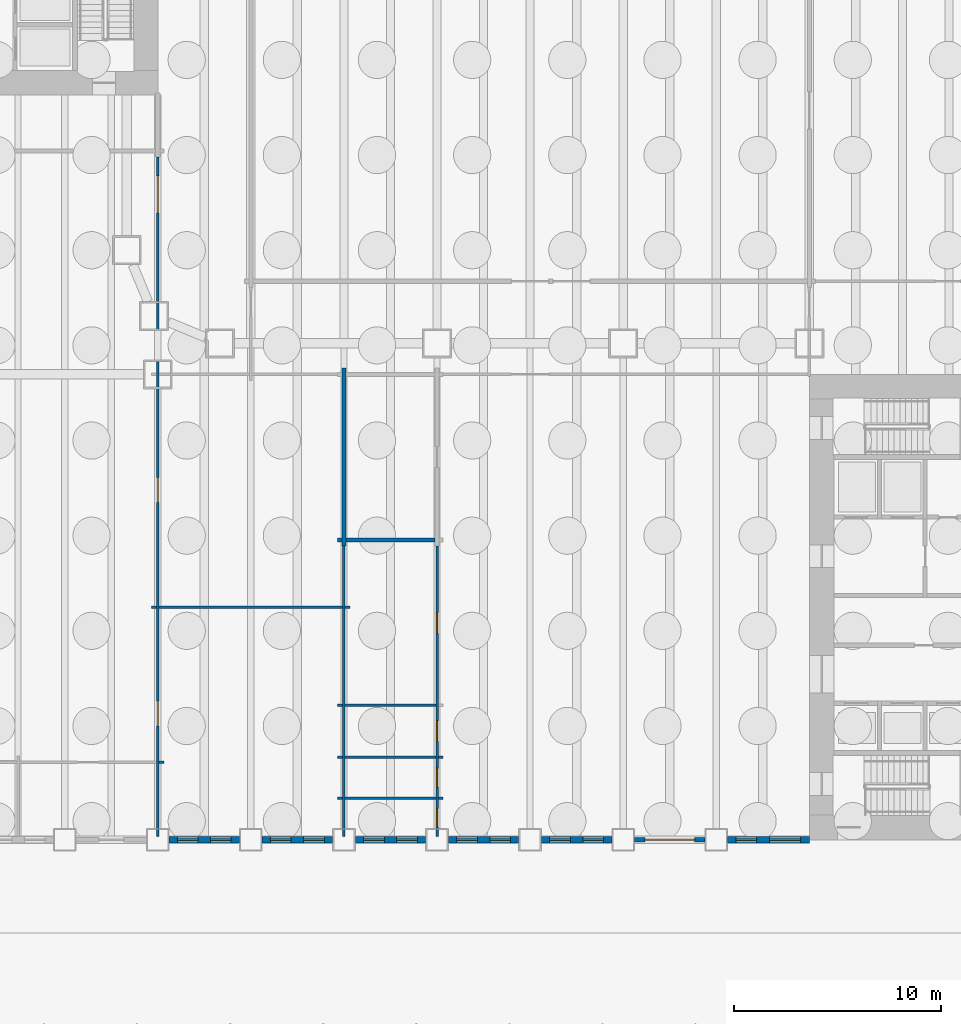
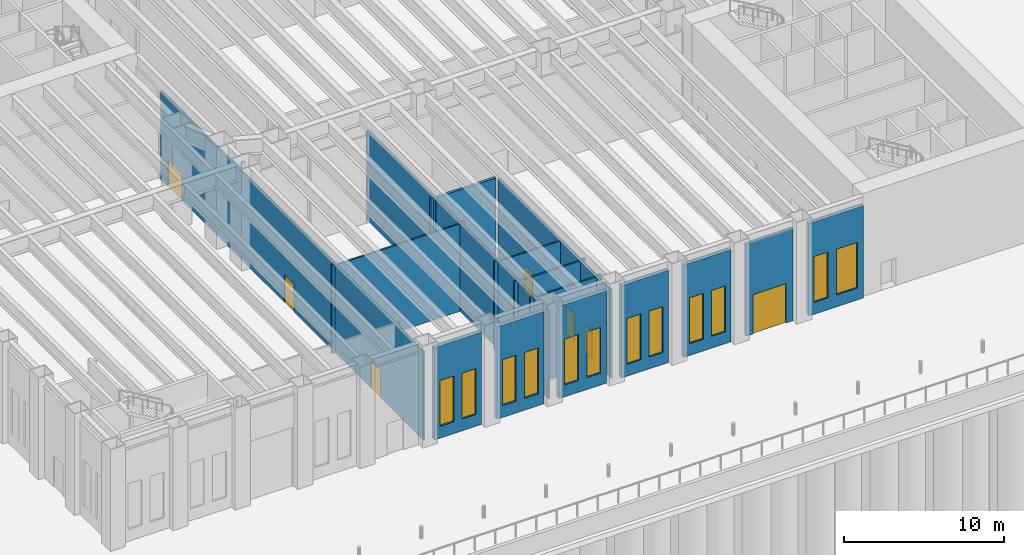
# One storey, part 8 of 26: 25 walls, 12 windows, 8 doors, 20 openings.
"""IFC4 building model written with IfcOpenShell, lengths in metres."""

import ifcopenshell
import ifcopenshell.guid

model = None  # the IFC model being written
_history = None  # IfcOwnerHistory: only IFC2X3 demands one
_inside = {}  # id of a spatial element -> (the spatial element, [elements in it])
_under = {}  # id of a project, library or spatial element -> (it, [spatial elements below it])
_declared = {}  # id of a project -> (the project, [libraries it declares])
_typed = {}  # id of a type object -> (the type object, [elements of that type])
_made_of = {}  # id of a material, layer set ... -> (it, [elements and type objects made of it])


def new_model(schema):
    """Start an empty IFC model of exactly this schema.

    Asked for "IFC4X3", IfcOpenShell would pick the latest addendum, in which some entities
    have other attributes; the version numbers below select the first issue.
    IFC2X3 requires an IfcOwnerHistory on every rooted entity: one is made here for all.
    """
    global model, _history
    if schema == "IFC4X3":
        model = ifcopenshell.file(schema_version=(4, 3, 0, 0))
    else:
        model = ifcopenshell.file(schema=schema)
    _inside.clear()
    _under.clear()
    _declared.clear()
    _typed.clear()
    _made_of.clear()
    _history = None
    if model.schema == "IFC2X3":
        org = make("IfcOrganization", Name="unknown")
        user = make(
            "IfcPersonAndOrganization",
            ThePerson=make("IfcPerson", FamilyName="unknown"),
            TheOrganization=org,
        )
        app = make(
            "IfcApplication",
            ApplicationDeveloper=org,
            Version="unknown",
            ApplicationFullName="unknown",
            ApplicationIdentifier="unknown",
        )
        _history = make(
            "IfcOwnerHistory",
            OwningUser=user,
            OwningApplication=app,
            ChangeAction="ADDED",
            CreationDate=0,
        )
    return model


def make(cls, **values):
    """One entity of the class cls with the attributes given. An attribute that is None is left unset."""
    return model.create_entity(
        cls, **{name: value for name, value in values.items() if value is not None}
    )


def rooted(cls, **values):
    """An entity with a GlobalId (a new one), such as an element, a storey or a relation."""
    return make(cls, GlobalId=ifcopenshell.guid.new(), OwnerHistory=_history, **values)


def si_unit(unit_type, name, prefix=None):
    """IfcSIUnit, for example si_unit("LENGTHUNIT", "METRE", prefix="MILLI")."""
    return make("IfcSIUnit", UnitType=unit_type, Prefix=prefix, Name=name)


def assignment(units):
    """IfcUnitAssignment: the units of a project."""
    return None if units is None else make("IfcUnitAssignment", Units=units)


def point(xyz):
    """IfcCartesianPoint."""
    return None if xyz is None else make("IfcCartesianPoint", Coordinates=xyz)


def direction(xyz):
    """IfcDirection."""
    return None if xyz is None else make("IfcDirection", DirectionRatios=xyz)


def frame(location, z_axis=None, x_axis=None):
    """IfcAxis2Placement3D, a coordinate frame: its origin and axes. An axis left out is left unset."""
    return make(
        "IfcAxis2Placement3D",
        Location=point(location),
        Axis=direction(z_axis),
        RefDirection=direction(x_axis),
    )


def frame_2d(location, x_axis=None):
    """IfcAxis2Placement2D, a coordinate frame in the plane: its origin and x axis."""
    return make(
        "IfcAxis2Placement2D", Location=point(location), RefDirection=direction(x_axis)
    )


def origin():
    """The frame at (0, 0, 0) with its axes left unset."""
    return frame((0.0, 0.0, 0.0))


def place(relative_to, where):
    """IfcLocalPlacement: puts the frame where relative to a parent placement (None: the world)."""
    return make(
        "IfcLocalPlacement", PlacementRelTo=relative_to, RelativePlacement=where
    )


def context(
    kind, dimensions, precision=None, world=None, true_north=None, identifier=None
):
    """IfcGeometricRepresentationContext, for example the 3D "Model" context."""
    return make(
        "IfcGeometricRepresentationContext",
        ContextIdentifier=identifier,
        ContextType=kind,
        CoordinateSpaceDimension=dimensions,
        Precision=precision,
        WorldCoordinateSystem=world,
        TrueNorth=true_north,
    )


def subcontext(parent, identifier, kind, view, scale=None):
    """IfcGeometricRepresentationSubContext, for example "Body" below "Model"."""
    return make(
        "IfcGeometricRepresentationSubContext",
        ContextIdentifier=identifier,
        ContextType=kind,
        ParentContext=parent,
        TargetScale=scale,
        TargetView=view,
    )


def project(units=None, contexts=None):
    """IfcProject with its units and contexts."""
    return rooted(
        "IfcProject",
        Name="project",
        RepresentationContexts=contexts,
        UnitsInContext=assignment(units),
    )


def spatial(cls, under=None, at=None, **own):
    """A site, building, storey or space (cls), placed at a placement, below another one or the project."""
    s = rooted(cls, ObjectPlacement=at, **own)
    if under is not None:
        _under.setdefault(under.id(), (under, []))[1].append(s)
    return s


def profile(cls, at=None, kind="AREA", **sizes):
    """A parametric profile (cls). Its sizes go by their IFC names, for example OverallWidth=200.0."""
    return make(cls, ProfileType=kind, Position=at, **sizes)


def rectangle(**sizes):
    """IfcRectangleProfileDef."""
    return profile("IfcRectangleProfileDef", **sizes)


def extrude(swept, where, along, depth):
    """IfcExtrudedAreaSolid: the profile swept, set in the frame where, extruded along a direction by depth."""
    return make(
        "IfcExtrudedAreaSolid",
        SweptArea=swept,
        Position=where,
        ExtrudedDirection=direction(along),
        Depth=depth,
    )


def shape(context_of_items, identifier, shape_type, items):
    """IfcShapeRepresentation: the items that make up one representation, for example the "Body"."""
    return make(
        "IfcShapeRepresentation",
        ContextOfItems=context_of_items,
        RepresentationIdentifier=identifier,
        RepresentationType=shape_type,
        Items=items,
    )


def material(Name=None, Category=None):
    """IfcMaterial."""
    return make("IfcMaterial", Name=Name, Category=Category)


def layer(
    of_material, thickness, ventilated=None, Name=None, Category=None, Priority=None
):
    """IfcMaterialLayer: one layer of a wall or slab, of a material (None: an air gap)."""
    return make(
        "IfcMaterialLayer",
        Material=of_material,
        LayerThickness=thickness,
        IsVentilated=ventilated,
        Name=Name,
        Category=Category,
        Priority=Priority,
    )


def layer_set(layers, Name=None):
    """IfcMaterialLayerSet."""
    return make("IfcMaterialLayerSet", MaterialLayers=layers, LayerSetName=Name)


def made_of(thing, what):
    """Note that an element or type object is made of a material, layer set ...; save() writes the relation."""
    if what is not None:
        _made_of.setdefault(what.id(), (what, []))[1].append(thing)
    return thing


def type_object(cls, material=None, **own):
    """A type object (cls), such as IfcWallType, which elements share."""
    return made_of(rooted(cls, **own), material)


def element(
    cls,
    number,
    at=None,
    inside=None,
    cuts=None,
    type_object=None,
    material=None,
    context=None,
    identifier="Body",
    shape_type=None,
    held_by="IfcProductDefinitionShape",
    body=None,
    shapes=None,
    **own,
):
    """One element of the class cls, such as IfcWall. Its Tag is "e" and its number.

    at: its placement. inside: the storey or other place that contains it. cuts: it is an
    opening in that element (IfcRelVoidsElement). A single representation is given by context,
    identifier, shape_type and body (its items); several are given by shapes. held_by: the class
    of the entity that holds the representations. save() writes the other relations.
    """
    e = rooted(cls, Tag="e%d" % number, ObjectPlacement=at, **own)
    if body is not None:
        shapes = [shape(context, identifier, shape_type, body)]
    if shapes is not None:
        e.Representation = make(held_by, Representations=shapes)
    if inside is not None:
        _inside.setdefault(inside.id(), (inside, []))[1].append(e)
    if cuts is not None:
        rooted(
            "IfcRelVoidsElement", RelatingBuildingElement=cuts, RelatedOpeningElement=e
        )
    if type_object is not None:
        _typed.setdefault(type_object.id(), (type_object, []))[1].append(e)
    return made_of(e, material)


def fill(opening, filler):
    """IfcRelFillsElement: the door or window that sits in an opening."""
    return rooted(
        "IfcRelFillsElement",
        RelatingOpeningElement=opening,
        RelatedBuildingElement=filler,
    )


def aggregate(whole, parts):
    """IfcRelAggregates: a whole, such as a stair, and the parts it consists of."""
    return rooted("IfcRelAggregates", RelatingObject=whole, RelatedObjects=parts)


def save(model, path):
    """Write the relations noted so far, then the file.

    IfcRelAggregates (storeys below a building ...), IfcRelContainedInSpatialStructure (elements
    in a storey), IfcRelDefinesByType, IfcRelAssociatesMaterial and IfcRelDeclares: one each for
    every whole, place, type object, material and project.
    """
    for whole, parts in _under.values():
        aggregate(whole, parts)
    for where, things in _inside.values():
        rooted(
            "IfcRelContainedInSpatialStructure",
            RelatedElements=things,
            RelatingStructure=where,
        )
    for kind, things in _typed.values():
        rooted("IfcRelDefinesByType", RelatedObjects=things, RelatingType=kind)
    for what, things in _made_of.values():
        rooted("IfcRelAssociatesMaterial", RelatedObjects=things, RelatingMaterial=what)
    for by, libraries in _declared.values():
        rooted("IfcRelDeclares", RelatingContext=by, RelatedDefinitions=libraries)
    model.write(path)


model = new_model("IFC4")

# Units and contexts
model_context = context("Model", 3, precision=1e-05, world=origin(), true_north=direction((0.0, 1.0)))
body_context = subcontext(model_context, "Body", "Model", "MODEL_VIEW")
ifc_project = project(units=[si_unit("LENGTHUNIT", "METRE"), si_unit("AREAUNIT", "SQUARE_METRE"), si_unit("VOLUMEUNIT", "CUBIC_METRE"), si_unit("PLANEANGLEUNIT", "RADIAN"), si_unit("MASSUNIT", "GRAM", prefix="KILO")], contexts=[model_context])

# Site, building, storey
site_placement = place(None, origin())
site = spatial("IfcSite", under=ifc_project, at=site_placement, CompositionType="ELEMENT")
building_placement = place(site_placement, origin())
building = spatial("IfcBuilding", under=site, at=building_placement, Name="Sennacour Bend Tower", CompositionType="ELEMENT")
storey_placement = place(building_placement, origin())
storey = spatial("IfcBuildingStorey", under=building, at=storey_placement, Name="L00", CompositionType="ELEMENT", Elevation=0.0)

# Wall, opening, door
ifc_material_1 = material(Name="Bronze anodised aluminium panel", Category="aluminium")
ifc_layer_1 = layer(ifc_material_1, 0.030029296875, Name="Bronze anodised aluminium panel", Category="aluminium")
ifc_material_2 = material(Name="Precast concrete C40/50", Category="concrete")
ifc_layer_2 = layer(ifc_material_2, 0.169921875, Name="Precast concrete C40/50", Category="concrete")
ifc_layer_set_1 = layer_set([ifc_layer_1, ifc_layer_2], Name="Precast concrete C40/50 with bronze aluminium panel")
wall_type_1 = type_object("IfcWallType", Name="ALUMINIUM-CLAD INFILL WALL 200", PredefinedType="STANDARD", material=ifc_layer_set_1)
wall_1_placement = place(storey_placement, frame((48.949951171875, 0.0, 0.0), z_axis=(0.0, 0.0, 1.0), x_axis=(-1.0, 0.0, 0.0)))
wall_1 = element("IfcWall", 1, at=wall_1_placement, inside=storey, type_object=wall_type_1, Name="Infill wall L00 03.10", PredefinedType="STANDARD", context=body_context, shape_type="SweptSolid", body=[
    extrude(rectangle(XDim=3.39990234375, YDim=0.199951171875, at=frame_2d((1.699951171875, 0.0))), origin(), (0.0, 0.0, 1.0), 7.035888671875),
])
opening_1_placement = place(wall_1_placement, frame((0.5, 0.0, 0.0)))
opening_1 = element("IfcOpeningElement", 2, at=opening_1_placement, cuts=wall_1, Name="Opening ED1", PredefinedType="OPENING", context=body_context, shape_type="SweptSolid", body=[
    extrude(rectangle(XDim=2.39990234375, YDim=3.0, at=frame_2d((1.199951171875, 1.5))), frame((0.0, 0.10986328125, 0.0), z_axis=(0.0, -1.0, 0.0), x_axis=(1.0, 0.0, 0.0)), (0.0, 0.0, 1.0), 0.219970703125),
])
ifc_material_3 = material(Name="Aluminium framed glazed door", Category="aluminium")
door_type_1 = type_object("IfcDoorType", Name="DR-ENTRANCE-2400x3000", OperationType="DOUBLE_DOOR_SINGLE_SWING", PredefinedType="DOOR", material=ifc_material_3)
door_1_placement = place(opening_1_placement, origin())
door_1 = element("IfcDoor", 3, at=door_1_placement, inside=storey, type_object=door_type_1, Name="Exterior door L00 03.10", OperationType="DOUBLE_DOOR_SINGLE_SWING", OverallHeight=3.0, OverallWidth=2.39990234375, PredefinedType="DOOR", context=body_context, shape_type="SweptSolid", body=[
    extrude(rectangle(XDim=2.39990234375, YDim=3.0, at=frame_2d((1.199951171875, 1.5))), frame((0.0, 0.02490234375, 0.0), z_axis=(0.0, -1.0, 0.0), x_axis=(1.0, 0.0, 0.0)), (0.0, 0.0, 1.0), 0.050048828125),
])
fill(opening_1, door_1)

# Walls
ifc_material_4 = material(Name="Plasterboard partition on steel studs", Category="steel")
ifc_layer_3 = layer(ifc_material_4, 0.1201171875, Name="Plasterboard partition on steel studs", Category="steel")
ifc_layer_set_2 = layer_set([ifc_layer_3], Name="Plasterboard partition on steel studs")
wall_type_2 = type_object("IfcWallType", Name="Partition 120", PredefinedType="PARTITIONING", material=ifc_layer_set_2)
wall_2_placement = place(storey_placement, frame((31.5, 0.14990234375, 0.0), z_axis=(0.0, 0.0, 1.0), x_axis=(0.0, 1.0, 0.0)))
element("IfcWall", 4, at=wall_2_placement, inside=storey, type_object=wall_type_2, Name="P-L00-W027a", PredefinedType="PARTITIONING", context=body_context, shape_type="SweptSolid", body=[
    extrude(rectangle(XDim=14.050048828125, YDim=0.1201171875, at=frame_2d((7.02490234375, 0.0))), origin(), (0.0, 0.0, 1.0), 6.7587890625),
])
wall_3_placement = place(storey_placement, frame((31.199951171875, 2.0, 0.0), z_axis=(0.0, 0.0, 1.0), x_axis=(1.0, 0.0, 0.0)))
element("IfcWall", 5, at=wall_3_placement, inside=storey, type_object=wall_type_2, Name="P-L00-W048aa", PredefinedType="PARTITIONING", context=body_context, shape_type="SweptSolid", body=[
    extrude(rectangle(XDim=0.239990234375, YDim=0.1201171875, at=frame_2d((0.1201171875, 0.0))), origin(), (0.0, 0.0, 1.0), 6.7587890625),
])
wall_4_placement = place(storey_placement, frame((31.56005859375, 2.0, 0.0), z_axis=(0.0, 0.0, 1.0), x_axis=(1.0, 0.0, 0.0)))
element("IfcWall", 6, at=wall_4_placement, inside=storey, type_object=wall_type_2, Name="P-L00-W048ab", PredefinedType="PARTITIONING", context=body_context, shape_type="SweptSolid", body=[
    extrude(rectangle(XDim=4.3798828125, YDim=0.1201171875, at=frame_2d((2.18994140625, 0.0))), origin(), (0.0, 0.0, 1.0), 6.66015625),
])
for number, where, z_axis, x_axis, name in (
    (7, (36.06005859375, 2.0, 0.0), (0.0, 0.0, 1.0), (1.0, 0.0, 0.0), "P-L00-W048ac"),
    (8, (22.56005859375, 3.75, 0.0), (0.0, 0.0, 1.0), (1.0, 0.0, 0.0), "P-L00-W051ac"),
    (9, (31.199951171875, 4.0, 0.0), (0.0, 0.0, 1.0), (1.0, 0.0, 0.0), "P-L00-W052aa"),
):
    element("IfcWall", number, at=place(storey_placement, frame(where, z_axis=z_axis, x_axis=x_axis)), inside=storey, type_object=wall_type_2, Name=name, PredefinedType="PARTITIONING", context=body_context, shape_type="SweptSolid", body=[
        extrude(rectangle(XDim=0.239990234375, YDim=0.1201171875, at=frame_2d((0.1201171875, 0.0))), origin(), (0.0, 0.0, 1.0), 6.7587890625),
    ])
wall_5_placement = place(storey_placement, frame((31.56005859375, 4.0, 0.0), z_axis=(0.0, 0.0, 1.0), x_axis=(1.0, 0.0, 0.0)))
element("IfcWall", 10, at=wall_5_placement, inside=storey, type_object=wall_type_2, Name="P-L00-W052ab", PredefinedType="PARTITIONING", context=body_context, shape_type="SweptSolid", body=[
    extrude(rectangle(XDim=4.3798828125, YDim=0.1201171875, at=frame_2d((2.18994140625, 0.0))), origin(), (0.0, 0.0, 1.0), 6.66015625),
])
for number, where, z_axis, x_axis, name in (
    (11, (36.06005859375, 4.0, 0.0), (0.0, 0.0, 1.0), (1.0, 0.0, 0.0), "P-L00-W052ac"),
    (12, (31.199951171875, 6.5, 0.0), (0.0, 0.0, 1.0), (1.0, 0.0, 0.0), "P-L00-W055aa"),
):
    element("IfcWall", number, at=place(storey_placement, frame(where, z_axis=z_axis, x_axis=x_axis)), inside=storey, type_object=wall_type_2, Name=name, PredefinedType="PARTITIONING", context=body_context, shape_type="SweptSolid", body=[
        extrude(rectangle(XDim=0.239990234375, YDim=0.1201171875, at=frame_2d((0.1201171875, 0.0))), origin(), (0.0, 0.0, 1.0), 6.7587890625),
    ])
wall_6_placement = place(storey_placement, frame((31.56005859375, 6.5, 0.0), z_axis=(0.0, 0.0, 1.0), x_axis=(1.0, 0.0, 0.0)))
element("IfcWall", 13, at=wall_6_placement, inside=storey, type_object=wall_type_2, Name="P-L00-W055ab", PredefinedType="PARTITIONING", context=body_context, shape_type="SweptSolid", body=[
    extrude(rectangle(XDim=4.3798828125, YDim=0.1201171875, at=frame_2d((2.18994140625, 0.0))), origin(), (0.0, 0.0, 1.0), 6.66015625),
])
wall_7_placement = place(storey_placement, frame((22.199951171875, 11.25, 0.0), z_axis=(0.0, 0.0, 1.0), x_axis=(1.0, 0.0, 0.0)))
element("IfcWall", 14, at=wall_7_placement, inside=storey, type_object=wall_type_2, Name="P-L00-W059aa", PredefinedType="PARTITIONING", context=body_context, shape_type="SweptSolid", body=[
    extrude(rectangle(XDim=0.239990234375, YDim=0.1201171875, at=frame_2d((0.1201171875, 0.0))), origin(), (0.0, 0.0, 1.0), 6.7587890625),
])
wall_8_placement = place(storey_placement, frame((22.56005859375, 11.25, 0.0), z_axis=(0.0, 0.0, 1.0), x_axis=(1.0, 0.0, 0.0)))
element("IfcWall", 15, at=wall_8_placement, inside=storey, type_object=wall_type_2, Name="P-L00-W059ab", PredefinedType="PARTITIONING", context=body_context, shape_type="SweptSolid", body=[
    extrude(rectangle(XDim=8.8798828125, YDim=0.1201171875, at=frame_2d((4.43994140625, 0.0))), origin(), (0.0, 0.0, 1.0), 6.66015625),
])
wall_9_placement = place(storey_placement, frame((31.56005859375, 11.25, 0.0), z_axis=(0.0, 0.0, 1.0), x_axis=(1.0, 0.0, 0.0)))
element("IfcWall", 16, at=wall_9_placement, inside=storey, type_object=wall_type_2, Name="P-L00-W059ac", PredefinedType="PARTITIONING", context=body_context, shape_type="SweptSolid", body=[
    extrude(rectangle(XDim=0.239990234375, YDim=0.1201171875, at=frame_2d((0.1201171875, 0.0))), origin(), (0.0, 0.0, 1.0), 6.7587890625),
])

# Wall, openings, doors
ifc_layer_4 = layer(ifc_material_4, 0.1201171875, Name="Plasterboard partition on steel studs", Category="steel")
ifc_layer_set_3 = layer_set([ifc_layer_4], Name="Plasterboard partition on steel studs")
wall_type_3 = type_object("IfcWallType", Name="Partition 120 EI 60", PredefinedType="PARTITIONING", material=ifc_layer_set_3)
wall_10_placement = place(storey_placement, frame((22.5, 0.14990234375, 0.0), z_axis=(0.0, 0.0, 1.0), x_axis=(0.0, 1.0, 0.0)))
wall_10 = element("IfcWall", 17, at=wall_10_placement, inside=storey, type_object=wall_type_3, Name="P-L00-W021a", PredefinedType="PARTITIONING", context=body_context, shape_type="SweptSolid", body=[
    extrude(rectangle(XDim=32.85009765625, YDim=0.1201171875, at=frame_2d((16.425048828125, 0.0))), origin(), (0.0, 0.0, 1.0), 6.7587890625),
])
opening_2_placement = place(wall_10_placement, frame((5.35009765625, 0.0, 0.0)))
opening_2 = element("IfcOpeningElement", 18, at=opening_2_placement, cuts=wall_10, Name="Opening OD", PredefinedType="OPENING", context=body_context, shape_type="SweptSolid", body=[
    extrude(rectangle(XDim=1.199951171875, YDim=2.10009765625, at=frame_2d((0.60009765625, 1.050048828125))), frame((0.0, 0.070068359375, 0.0), z_axis=(0.0, -1.0, 0.0), x_axis=(1.0, 0.0, 0.0)), (0.0, 0.0, 1.0), 0.14013671875),
])
opening_3_placement = place(wall_10_placement, frame((16.155029296875, 0.0, 0.0)))
opening_3 = element("IfcOpeningElement", 19, at=opening_3_placement, cuts=wall_10, Name="Opening OD", PredefinedType="OPENING", context=body_context, shape_type="SweptSolid", body=[
    extrude(rectangle(XDim=1.199951171875, YDim=2.10009765625, at=frame_2d((0.60009765625, 1.050048828125))), frame((0.0, 0.070068359375, 0.0), z_axis=(0.0, -1.0, 0.0), x_axis=(1.0, 0.0, 0.0)), (0.0, 0.0, 1.0), 0.14013671875),
])
opening_4_placement = place(wall_10_placement, frame((30.150146484375, 0.0, 0.0)))
opening_4 = element("IfcOpeningElement", 20, at=opening_4_placement, cuts=wall_10, Name="Opening CD", PredefinedType="OPENING", context=body_context, shape_type="SweptSolid", body=[
    extrude(rectangle(XDim=1.800048828125, YDim=2.10009765625, at=frame_2d((0.89990234375, 1.050048828125))), frame((0.0, 0.070068359375, 0.0), z_axis=(0.0, -1.0, 0.0), x_axis=(1.0, 0.0, 0.0)), (0.0, 0.0, 1.0), 0.14013671875),
])
ifc_material_5 = material(Name="Painted steel", Category="steel")
door_type_2 = type_object("IfcDoorType", Name="DR-LOBBY-1800", OperationType="NOTDEFINED", PredefinedType="DOOR", material=ifc_material_5)
door_2_placement = place(opening_4_placement, origin())
door_2 = element("IfcDoor", 21, at=door_2_placement, inside=storey, type_object=door_type_2, Name="Door", OperationType="DOUBLE_DOOR_SINGLE_SWING", OverallHeight=2.10009765625, OverallWidth=1.800048828125, PredefinedType="DOOR", context=body_context, shape_type="SweptSolid", body=[
    extrude(rectangle(XDim=1.800048828125, YDim=2.10009765625, at=frame_2d((0.89990234375, 1.050048828125))), frame((0.0, 0.02490234375, 0.0), z_axis=(0.0, -1.0, 0.0), x_axis=(1.0, 0.0, 0.0)), (0.0, 0.0, 1.0), 0.050048828125),
])
fill(opening_4, door_2)
ifc_material_6 = material(Name="Timber", Category="wood")
door_type_3 = type_object("IfcDoorType", Name="DR-OFFICE-1200", OperationType="NOTDEFINED", PredefinedType="DOOR", material=ifc_material_6)
door_3_placement = place(opening_2_placement, origin())
door_3 = element("IfcDoor", 22, at=door_3_placement, inside=storey, type_object=door_type_3, Name="Door", OperationType="SINGLE_SWING_LEFT", OverallHeight=2.10009765625, OverallWidth=1.199951171875, PredefinedType="DOOR", context=body_context, shape_type="SweptSolid", body=[
    extrude(rectangle(XDim=1.199951171875, YDim=2.10009765625, at=frame_2d((0.60009765625, 1.050048828125))), frame((0.0, 0.02490234375, 0.0), z_axis=(0.0, -1.0, 0.0), x_axis=(1.0, 0.0, 0.0)), (0.0, 0.0, 1.0), 0.050048828125),
])
fill(opening_2, door_3)
door_4_placement = place(opening_3_placement, origin())
door_4 = element("IfcDoor", 23, at=door_4_placement, inside=storey, type_object=door_type_3, Name="Door", OperationType="SINGLE_SWING_RIGHT", OverallHeight=2.10009765625, OverallWidth=1.199951171875, PredefinedType="DOOR", context=body_context, shape_type="SweptSolid", body=[
    extrude(rectangle(XDim=1.199951171875, YDim=2.10009765625, at=frame_2d((0.60009765625, 1.050048828125))), frame((0.0, 0.02490234375, 0.0), z_axis=(0.0, -1.0, 0.0), x_axis=(1.0, 0.0, 0.0)), (0.0, 0.0, 1.0), 0.050048828125),
])
fill(opening_3, door_4)

wall_11_placement = place(storey_placement, frame((36.0, 0.14990234375, 0.0), z_axis=(0.0, 0.0, 1.0), x_axis=(0.0, 1.0, 0.0)))
wall_11 = element("IfcWall", 24, at=wall_11_placement, inside=storey, type_object=wall_type_3, Name="P-L00-W029a", PredefinedType="PARTITIONING", context=body_context, shape_type="SweptSolid", body=[
    extrude(rectangle(XDim=14.050048828125, YDim=0.1201171875, at=frame_2d((7.02490234375, 0.0))), origin(), (0.0, 0.0, 1.0), 6.7587890625),
])
opening_5_placement = place(wall_11_placement, frame((9.830078125, 0.0, 0.0)))
opening_5 = element("IfcOpeningElement", 25, at=opening_5_placement, cuts=wall_11, Name="Opening SV2", PredefinedType="OPENING", context=body_context, shape_type="SweptSolid", body=[
    extrude(rectangle(XDim=1.0, YDim=2.10009765625, at=frame_2d((0.5, 1.050048828125))), frame((0.0, 0.070068359375, 0.0), z_axis=(0.0, -1.0, 0.0), x_axis=(1.0, 0.0, 0.0)), (0.0, 0.0, 1.0), 0.14013671875),
])
opening_6_placement = place(wall_11_placement, frame((0.455078125, 0.0, 0.0)))
opening_6 = element("IfcOpeningElement", 26, at=opening_6_placement, cuts=wall_11, Name="Opening WD", PredefinedType="OPENING", context=body_context, shape_type="SweptSolid", body=[
    extrude(rectangle(XDim=0.89990234375, YDim=2.10009765625, at=frame_2d((0.449951171875, 1.050048828125))), frame((0.0, 0.070068359375, 0.0), z_axis=(0.0, -1.0, 0.0), x_axis=(1.0, 0.0, 0.0)), (0.0, 0.0, 1.0), 0.14013671875),
])
opening_7_placement = place(wall_11_placement, frame((2.400146484375, 0.0, 0.0)))
opening_7 = element("IfcOpeningElement", 27, at=opening_7_placement, cuts=wall_11, Name="Opening WD", PredefinedType="OPENING", context=body_context, shape_type="SweptSolid", body=[
    extrude(rectangle(XDim=0.89990234375, YDim=2.10009765625, at=frame_2d((0.449951171875, 1.050048828125))), frame((0.0, 0.070068359375, 0.0), z_axis=(0.0, -1.0, 0.0), x_axis=(1.0, 0.0, 0.0)), (0.0, 0.0, 1.0), 0.14013671875),
])
opening_8_placement = place(wall_11_placement, frame((4.60009765625, 0.0, 0.0)))
opening_8 = element("IfcOpeningElement", 28, at=opening_8_placement, cuts=wall_11, Name="Opening AD", PredefinedType="OPENING", context=body_context, shape_type="SweptSolid", body=[
    extrude(rectangle(XDim=1.0, YDim=2.10009765625, at=frame_2d((0.5, 1.050048828125))), frame((0.0, 0.070068359375, 0.0), z_axis=(0.0, -1.0, 0.0), x_axis=(1.0, 0.0, 0.0)), (0.0, 0.0, 1.0), 0.14013671875),
])
door_type_4 = type_object("IfcDoorType", Name="DR-ACC-WC-1000", OperationType="NOTDEFINED", PredefinedType="DOOR", material=ifc_material_6)
door_5_placement = place(opening_8_placement, origin())
door_5 = element("IfcDoor", 29, at=door_5_placement, inside=storey, type_object=door_type_4, Name="Door", OperationType="SINGLE_SWING_LEFT", OverallHeight=2.10009765625, OverallWidth=1.0, PredefinedType="DOOR", context=body_context, shape_type="SweptSolid", body=[
    extrude(rectangle(XDim=1.0, YDim=2.10009765625, at=frame_2d((0.5, 1.050048828125))), frame((0.0, 0.02490234375, 0.0), z_axis=(0.0, -1.0, 0.0), x_axis=(1.0, 0.0, 0.0)), (0.0, 0.0, 1.0), 0.050048828125),
])
fill(opening_8, door_5)
door_type_5 = type_object("IfcDoorType", Name="DR-SERVICE-1000", OperationType="NOTDEFINED", PredefinedType="DOOR", material=ifc_material_5)
door_6_placement = place(opening_5_placement, origin())
door_6 = element("IfcDoor", 30, at=door_6_placement, inside=storey, type_object=door_type_5, Name="Door", OperationType="SINGLE_SWING_RIGHT", OverallHeight=2.10009765625, OverallWidth=1.0, PredefinedType="DOOR", context=body_context, shape_type="SweptSolid", body=[
    extrude(rectangle(XDim=1.0, YDim=2.10009765625, at=frame_2d((0.5, 1.050048828125))), frame((0.0, 0.02490234375, 0.0), z_axis=(0.0, -1.0, 0.0), x_axis=(1.0, 0.0, 0.0)), (0.0, 0.0, 1.0), 0.050048828125),
])
fill(opening_5, door_6)
door_type_6 = type_object("IfcDoorType", Name="DR-WC-900", OperationType="NOTDEFINED", PredefinedType="DOOR", material=ifc_material_6)
door_7_placement = place(opening_6_placement, origin())
door_7 = element("IfcDoor", 31, at=door_7_placement, inside=storey, type_object=door_type_6, Name="Door", OperationType="SINGLE_SWING_LEFT", OverallHeight=2.10009765625, OverallWidth=0.89990234375, PredefinedType="DOOR", context=body_context, shape_type="SweptSolid", body=[
    extrude(rectangle(XDim=0.89990234375, YDim=2.10009765625, at=frame_2d((0.449951171875, 1.050048828125))), frame((0.0, 0.02490234375, 0.0), z_axis=(0.0, -1.0, 0.0), x_axis=(1.0, 0.0, 0.0)), (0.0, 0.0, 1.0), 0.050048828125),
])
fill(opening_6, door_7)
door_8_placement = place(opening_7_placement, origin())
door_8 = element("IfcDoor", 32, at=door_8_placement, inside=storey, type_object=door_type_6, Name="Door", OperationType="SINGLE_SWING_LEFT", OverallHeight=2.10009765625, OverallWidth=0.89990234375, PredefinedType="DOOR", context=body_context, shape_type="SweptSolid", body=[
    extrude(rectangle(XDim=0.89990234375, YDim=2.10009765625, at=frame_2d((0.449951171875, 1.050048828125))), frame((0.0, 0.02490234375, 0.0), z_axis=(0.0, -1.0, 0.0), x_axis=(1.0, 0.0, 0.0)), (0.0, 0.0, 1.0), 0.050048828125),
])
fill(opening_7, door_8)

# Walls
ifc_material_7 = material(Name="Fire-rated plasterboard partition on steel studs", Category="steel")
ifc_layer_5 = layer(ifc_material_7, 0.199951171875, Name="Fire-rated plasterboard partition on steel studs", Category="steel")
ifc_layer_set_4 = layer_set([ifc_layer_5], Name="Fire-rated plasterboard partition on steel studs")
wall_type_4 = type_object("IfcWallType", Name="Rated partition 200", PredefinedType="PARTITIONING", material=ifc_layer_set_4)
wall_12_placement = place(storey_placement, frame((31.5, 14.199951171875, 0.0), z_axis=(0.0, 0.0, 1.0), x_axis=(0.0, 1.0, 0.0)))
element("IfcWall", 33, at=wall_12_placement, inside=storey, type_object=wall_type_4, Name="P-L00-W028a", PredefinedType="PARTITIONING", context=body_context, shape_type="SweptSolid", body=[
    extrude(rectangle(XDim=8.60009765625, YDim=0.199951171875, at=frame_2d((4.300048828125, 0.0))), origin(), (0.0, 0.0, 1.0), 6.7587890625),
])
wall_13_placement = place(storey_placement, frame((31.199951171875, 14.5, 0.0), z_axis=(0.0, 0.0, 1.0), x_axis=(1.0, 0.0, 0.0)))
element("IfcWall", 34, at=wall_13_placement, inside=storey, type_object=wall_type_4, Name="P-L00-W061aa", PredefinedType="PARTITIONING", context=body_context, shape_type="SweptSolid", body=[
    extrude(rectangle(XDim=0.199951171875, YDim=0.199951171875, at=frame_2d((0.10009765625, 0.0))), origin(), (0.0, 0.0, 1.0), 6.7587890625),
])
wall_14_placement = place(storey_placement, frame((31.60009765625, 14.5, 0.0), z_axis=(0.0, 0.0, 1.0), x_axis=(1.0, 0.0, 0.0)))
element("IfcWall", 35, at=wall_14_placement, inside=storey, type_object=wall_type_4, Name="P-L00-W061ab", PredefinedType="PARTITIONING", context=body_context, shape_type="SweptSolid", body=[
    extrude(rectangle(XDim=4.2998046875, YDim=0.199951171875, at=frame_2d((2.14990234375, 0.0))), origin(), (0.0, 0.0, 1.0), 6.66015625),
])

# Wall, openings, windows
ifc_material_8 = material(Name="Warm limestone cladding", Category="masonry")
ifc_layer_6 = layer(ifc_material_8, 0.050048828125, Name="Warm limestone cladding", Category="masonry")
ifc_layer_7 = layer(ifc_material_2, 0.25, Name="Precast concrete C40/50", Category="concrete")
ifc_layer_set_5 = layer_set([ifc_layer_6, ifc_layer_7], Name="Precast concrete C40/50 with limestone cladding")
wall_type_5 = type_object("IfcWallType", Name="STONE-CLAD PRECAST SPANDREL 300", PredefinedType="STANDARD", material=ifc_layer_set_5)
wall_15_placement = place(storey_placement, frame((23.050048828125, 0.0, 0.0), z_axis=(0.0, 0.0, 1.0), x_axis=(1.0, 0.0, 0.0)))
wall_15 = element("IfcWall", 36, at=wall_15_placement, inside=storey, type_object=wall_type_5, Name="Stone spandrel and pier wall L00 03.05", PredefinedType="STANDARD", context=body_context, shape_type="SweptSolid", body=[
    extrude(rectangle(XDim=3.39990234375, YDim=0.300048828125, at=frame_2d((1.699951171875, 0.0))), origin(), (0.0, 0.0, 1.0), 7.035888671875),
])
opening_9_placement = place(wall_15_placement, frame((0.39990234375, 0.0, 0.89990234375)))
opening_9 = element("IfcOpeningElement", 37, at=opening_9_placement, cuts=wall_15, Name="Opening W1", PredefinedType="OPENING", context=body_context, shape_type="SweptSolid", body=[
    extrude(rectangle(XDim=1.0, YDim=3.5, at=frame_2d((0.5, 1.75))), frame((0.0, 0.16015625, 0.0), z_axis=(0.0, -1.0, 0.0), x_axis=(1.0, 0.0, 0.0)), (0.0, 0.0, 1.0), 0.320068359375),
])
opening_10_placement = place(wall_15_placement, frame((2.0, 0.0, 0.89990234375)))
opening_10 = element("IfcOpeningElement", 38, at=opening_10_placement, cuts=wall_15, Name="Opening W1", PredefinedType="OPENING", context=body_context, shape_type="SweptSolid", body=[
    extrude(rectangle(XDim=1.0, YDim=3.5, at=frame_2d((0.5, 1.75))), frame((0.0, 0.16015625, 0.0), z_axis=(0.0, -1.0, 0.0), x_axis=(1.0, 0.0, 0.0)), (0.0, 0.0, 1.0), 0.320068359375),
])
ifc_material_9 = material(Name="Clear low-emissivity glass", Category="glass")
window_type_1 = type_object("IfcWindowType", Name="WIN-RIBBON-1000x3500", PartitioningType="SINGLE_PANEL", PredefinedType="WINDOW", material=ifc_material_9)
window_1_placement = place(opening_9_placement, origin())
window_1 = element("IfcWindow", 39, at=window_1_placement, inside=storey, type_object=window_type_1, Name="Ribbon window L00 03.05.0", OverallHeight=3.5, OverallWidth=1.0, PartitioningType="SINGLE_PANEL", PredefinedType="WINDOW", context=body_context, shape_type="SweptSolid", body=[
    extrude(rectangle(XDim=1.0, YDim=3.5, at=frame_2d((0.5, 1.75))), frame((0.0, 0.030029296875, 0.0), z_axis=(0.0, -1.0, 0.0), x_axis=(1.0, 0.0, 0.0)), (0.0, 0.0, 1.0), 0.06005859375),
])
fill(opening_9, window_1)
window_2_placement = place(opening_10_placement, origin())
window_2 = element("IfcWindow", 40, at=window_2_placement, inside=storey, type_object=window_type_1, Name="Ribbon window L00 03.05.1", OverallHeight=3.5, OverallWidth=1.0, PartitioningType="SINGLE_PANEL", PredefinedType="WINDOW", context=body_context, shape_type="SweptSolid", body=[
    extrude(rectangle(XDim=1.0, YDim=3.5, at=frame_2d((0.5, 1.75))), frame((0.0, 0.030029296875, 0.0), z_axis=(0.0, -1.0, 0.0), x_axis=(1.0, 0.0, 0.0)), (0.0, 0.0, 1.0), 0.06005859375),
])
fill(opening_10, window_2)

wall_16_placement = place(storey_placement, frame((27.550048828125, 0.0, 0.0), z_axis=(0.0, 0.0, 1.0), x_axis=(1.0, 0.0, 0.0)))
wall_16 = element("IfcWall", 41, at=wall_16_placement, inside=storey, type_object=wall_type_5, Name="Stone spandrel and pier wall L00 03.06", PredefinedType="STANDARD", context=body_context, shape_type="SweptSolid", body=[
    extrude(rectangle(XDim=3.39990234375, YDim=0.300048828125, at=frame_2d((1.699951171875, 0.0))), origin(), (0.0, 0.0, 1.0), 7.035888671875),
])
opening_11_placement = place(wall_16_placement, frame((0.39990234375, 0.0, 0.89990234375)))
opening_11 = element("IfcOpeningElement", 42, at=opening_11_placement, cuts=wall_16, Name="Opening W1", PredefinedType="OPENING", context=body_context, shape_type="SweptSolid", body=[
    extrude(rectangle(XDim=1.0, YDim=3.5, at=frame_2d((0.5, 1.75))), frame((0.0, 0.16015625, 0.0), z_axis=(0.0, -1.0, 0.0), x_axis=(1.0, 0.0, 0.0)), (0.0, 0.0, 1.0), 0.320068359375),
])
opening_12_placement = place(wall_16_placement, frame((2.0, 0.0, 0.89990234375)))
opening_12 = element("IfcOpeningElement", 43, at=opening_12_placement, cuts=wall_16, Name="Opening W1", PredefinedType="OPENING", context=body_context, shape_type="SweptSolid", body=[
    extrude(rectangle(XDim=1.0, YDim=3.5, at=frame_2d((0.5, 1.75))), frame((0.0, 0.16015625, 0.0), z_axis=(0.0, -1.0, 0.0), x_axis=(1.0, 0.0, 0.0)), (0.0, 0.0, 1.0), 0.320068359375),
])
window_3_placement = place(opening_11_placement, origin())
window_3 = element("IfcWindow", 44, at=window_3_placement, inside=storey, type_object=window_type_1, Name="Ribbon window L00 03.06.0", OverallHeight=3.5, OverallWidth=1.0, PartitioningType="SINGLE_PANEL", PredefinedType="WINDOW", context=body_context, shape_type="SweptSolid", body=[
    extrude(rectangle(XDim=1.0, YDim=3.5, at=frame_2d((0.5, 1.75))), frame((0.0, 0.030029296875, 0.0), z_axis=(0.0, -1.0, 0.0), x_axis=(1.0, 0.0, 0.0)), (0.0, 0.0, 1.0), 0.06005859375),
])
fill(opening_11, window_3)
window_4_placement = place(opening_12_placement, origin())
window_4 = element("IfcWindow", 45, at=window_4_placement, inside=storey, type_object=window_type_1, Name="Ribbon window L00 03.06.1", OverallHeight=3.5, OverallWidth=1.0, PartitioningType="SINGLE_PANEL", PredefinedType="WINDOW", context=body_context, shape_type="SweptSolid", body=[
    extrude(rectangle(XDim=1.0, YDim=3.5, at=frame_2d((0.5, 1.75))), frame((0.0, 0.030029296875, 0.0), z_axis=(0.0, -1.0, 0.0), x_axis=(1.0, 0.0, 0.0)), (0.0, 0.0, 1.0), 0.06005859375),
])
fill(opening_12, window_4)

wall_17_placement = place(storey_placement, frame((32.050048828125, 0.0, 0.0), z_axis=(0.0, 0.0, 1.0), x_axis=(1.0, 0.0, 0.0)))
wall_17 = element("IfcWall", 46, at=wall_17_placement, inside=storey, type_object=wall_type_5, Name="Stone spandrel and pier wall L00 03.07", PredefinedType="STANDARD", context=body_context, shape_type="SweptSolid", body=[
    extrude(rectangle(XDim=3.39990234375, YDim=0.300048828125, at=frame_2d((1.699951171875, 0.0))), origin(), (0.0, 0.0, 1.0), 7.035888671875),
])
opening_13_placement = place(wall_17_placement, frame((0.39990234375, 0.0, 0.89990234375)))
opening_13 = element("IfcOpeningElement", 47, at=opening_13_placement, cuts=wall_17, Name="Opening W1", PredefinedType="OPENING", context=body_context, shape_type="SweptSolid", body=[
    extrude(rectangle(XDim=1.0, YDim=3.5, at=frame_2d((0.5, 1.75))), frame((0.0, 0.16015625, 0.0), z_axis=(0.0, -1.0, 0.0), x_axis=(1.0, 0.0, 0.0)), (0.0, 0.0, 1.0), 0.320068359375),
])
opening_14_placement = place(wall_17_placement, frame((2.0, 0.0, 0.89990234375)))
opening_14 = element("IfcOpeningElement", 48, at=opening_14_placement, cuts=wall_17, Name="Opening W1", PredefinedType="OPENING", context=body_context, shape_type="SweptSolid", body=[
    extrude(rectangle(XDim=1.0, YDim=3.5, at=frame_2d((0.5, 1.75))), frame((0.0, 0.16015625, 0.0), z_axis=(0.0, -1.0, 0.0), x_axis=(1.0, 0.0, 0.0)), (0.0, 0.0, 1.0), 0.320068359375),
])
window_5_placement = place(opening_13_placement, origin())
window_5 = element("IfcWindow", 49, at=window_5_placement, inside=storey, type_object=window_type_1, Name="Ribbon window L00 03.07.0", OverallHeight=3.5, OverallWidth=1.0, PartitioningType="SINGLE_PANEL", PredefinedType="WINDOW", context=body_context, shape_type="SweptSolid", body=[
    extrude(rectangle(XDim=1.0, YDim=3.5, at=frame_2d((0.5, 1.75))), frame((0.0, 0.030029296875, 0.0), z_axis=(0.0, -1.0, 0.0), x_axis=(1.0, 0.0, 0.0)), (0.0, 0.0, 1.0), 0.06005859375),
])
fill(opening_13, window_5)
window_6_placement = place(opening_14_placement, origin())
window_6 = element("IfcWindow", 50, at=window_6_placement, inside=storey, type_object=window_type_1, Name="Ribbon window L00 03.07.1", OverallHeight=3.5, OverallWidth=1.0, PartitioningType="SINGLE_PANEL", PredefinedType="WINDOW", context=body_context, shape_type="SweptSolid", body=[
    extrude(rectangle(XDim=1.0, YDim=3.5, at=frame_2d((0.5, 1.75))), frame((0.0, 0.030029296875, 0.0), z_axis=(0.0, -1.0, 0.0), x_axis=(1.0, 0.0, 0.0)), (0.0, 0.0, 1.0), 0.06005859375),
])
fill(opening_14, window_6)

wall_18_placement = place(storey_placement, frame((36.550048828125, 0.0, 0.0), z_axis=(0.0, 0.0, 1.0), x_axis=(1.0, 0.0, 0.0)))
wall_18 = element("IfcWall", 51, at=wall_18_placement, inside=storey, type_object=wall_type_5, Name="Stone spandrel and pier wall L00 03.08", PredefinedType="STANDARD", context=body_context, shape_type="SweptSolid", body=[
    extrude(rectangle(XDim=3.39990234375, YDim=0.300048828125, at=frame_2d((1.699951171875, 0.0))), origin(), (0.0, 0.0, 1.0), 7.035888671875),
])
opening_15_placement = place(wall_18_placement, frame((0.39990234375, 0.0, 0.89990234375)))
opening_15 = element("IfcOpeningElement", 52, at=opening_15_placement, cuts=wall_18, Name="Opening W1", PredefinedType="OPENING", context=body_context, shape_type="SweptSolid", body=[
    extrude(rectangle(XDim=1.0, YDim=3.5, at=frame_2d((0.5, 1.75))), frame((0.0, 0.16015625, 0.0), z_axis=(0.0, -1.0, 0.0), x_axis=(1.0, 0.0, 0.0)), (0.0, 0.0, 1.0), 0.320068359375),
])
opening_16_placement = place(wall_18_placement, frame((2.0, 0.0, 0.89990234375)))
opening_16 = element("IfcOpeningElement", 53, at=opening_16_placement, cuts=wall_18, Name="Opening W1", PredefinedType="OPENING", context=body_context, shape_type="SweptSolid", body=[
    extrude(rectangle(XDim=1.0, YDim=3.5, at=frame_2d((0.5, 1.75))), frame((0.0, 0.16015625, 0.0), z_axis=(0.0, -1.0, 0.0), x_axis=(1.0, 0.0, 0.0)), (0.0, 0.0, 1.0), 0.320068359375),
])
window_7_placement = place(opening_15_placement, origin())
window_7 = element("IfcWindow", 54, at=window_7_placement, inside=storey, type_object=window_type_1, Name="Ribbon window L00 03.08.0", OverallHeight=3.5, OverallWidth=1.0, PartitioningType="SINGLE_PANEL", PredefinedType="WINDOW", context=body_context, shape_type="SweptSolid", body=[
    extrude(rectangle(XDim=1.0, YDim=3.5, at=frame_2d((0.5, 1.75))), frame((0.0, 0.030029296875, 0.0), z_axis=(0.0, -1.0, 0.0), x_axis=(1.0, 0.0, 0.0)), (0.0, 0.0, 1.0), 0.06005859375),
])
fill(opening_15, window_7)
window_8_placement = place(opening_16_placement, origin())
window_8 = element("IfcWindow", 55, at=window_8_placement, inside=storey, type_object=window_type_1, Name="Ribbon window L00 03.08.1", OverallHeight=3.5, OverallWidth=1.0, PartitioningType="SINGLE_PANEL", PredefinedType="WINDOW", context=body_context, shape_type="SweptSolid", body=[
    extrude(rectangle(XDim=1.0, YDim=3.5, at=frame_2d((0.5, 1.75))), frame((0.0, 0.030029296875, 0.0), z_axis=(0.0, -1.0, 0.0), x_axis=(1.0, 0.0, 0.0)), (0.0, 0.0, 1.0), 0.06005859375),
])
fill(opening_16, window_8)

wall_19_placement = place(storey_placement, frame((41.050048828125, 0.0, 0.0), z_axis=(0.0, 0.0, 1.0), x_axis=(1.0, 0.0, 0.0)))
wall_19 = element("IfcWall", 56, at=wall_19_placement, inside=storey, type_object=wall_type_5, Name="Stone spandrel and pier wall L00 03.09", PredefinedType="STANDARD", context=body_context, shape_type="SweptSolid", body=[
    extrude(rectangle(XDim=3.39990234375, YDim=0.300048828125, at=frame_2d((1.699951171875, 0.0))), origin(), (0.0, 0.0, 1.0), 7.035888671875),
])
opening_17_placement = place(wall_19_placement, frame((0.39990234375, 0.0, 0.89990234375)))
opening_17 = element("IfcOpeningElement", 57, at=opening_17_placement, cuts=wall_19, Name="Opening W1", PredefinedType="OPENING", context=body_context, shape_type="SweptSolid", body=[
    extrude(rectangle(XDim=1.0, YDim=3.5, at=frame_2d((0.5, 1.75))), frame((0.0, 0.16015625, 0.0), z_axis=(0.0, -1.0, 0.0), x_axis=(1.0, 0.0, 0.0)), (0.0, 0.0, 1.0), 0.320068359375),
])
opening_18_placement = place(wall_19_placement, frame((2.0, 0.0, 0.89990234375)))
opening_18 = element("IfcOpeningElement", 58, at=opening_18_placement, cuts=wall_19, Name="Opening W1", PredefinedType="OPENING", context=body_context, shape_type="SweptSolid", body=[
    extrude(rectangle(XDim=1.0, YDim=3.5, at=frame_2d((0.5, 1.75))), frame((0.0, 0.16015625, 0.0), z_axis=(0.0, -1.0, 0.0), x_axis=(1.0, 0.0, 0.0)), (0.0, 0.0, 1.0), 0.320068359375),
])
window_9_placement = place(opening_17_placement, origin())
window_9 = element("IfcWindow", 59, at=window_9_placement, inside=storey, type_object=window_type_1, Name="Ribbon window L00 03.09.0", OverallHeight=3.5, OverallWidth=1.0, PartitioningType="SINGLE_PANEL", PredefinedType="WINDOW", context=body_context, shape_type="SweptSolid", body=[
    extrude(rectangle(XDim=1.0, YDim=3.5, at=frame_2d((0.5, 1.75))), frame((0.0, 0.030029296875, 0.0), z_axis=(0.0, -1.0, 0.0), x_axis=(1.0, 0.0, 0.0)), (0.0, 0.0, 1.0), 0.06005859375),
])
fill(opening_17, window_9)
window_10_placement = place(opening_18_placement, origin())
window_10 = element("IfcWindow", 60, at=window_10_placement, inside=storey, type_object=window_type_1, Name="Ribbon window L00 03.09.1", OverallHeight=3.5, OverallWidth=1.0, PartitioningType="SINGLE_PANEL", PredefinedType="WINDOW", context=body_context, shape_type="SweptSolid", body=[
    extrude(rectangle(XDim=1.0, YDim=3.5, at=frame_2d((0.5, 1.75))), frame((0.0, 0.030029296875, 0.0), z_axis=(0.0, -1.0, 0.0), x_axis=(1.0, 0.0, 0.0)), (0.0, 0.0, 1.0), 0.06005859375),
])
fill(opening_18, window_10)

wall_20_placement = place(storey_placement, frame((50.050048828125, 0.0, 0.0), z_axis=(0.0, 0.0, 1.0), x_axis=(1.0, 0.0, 0.0)))
wall_20 = element("IfcWall", 61, at=wall_20_placement, inside=storey, type_object=wall_type_5, Name="Stone spandrel and pier wall L00 03.11", PredefinedType="STANDARD", context=body_context, shape_type="SweptSolid", body=[
    extrude(rectangle(XDim=3.948974609375, YDim=0.300048828125, at=frame_2d((1.974609375, 0.0))), origin(), (0.0, 0.0, 1.0), 7.035888671875),
])
opening_19_placement = place(wall_20_placement, frame((0.39990234375, 0.0, 0.89990234375)))
opening_19 = element("IfcOpeningElement", 62, at=opening_19_placement, cuts=wall_20, Name="Opening W1", PredefinedType="OPENING", context=body_context, shape_type="SweptSolid", body=[
    extrude(rectangle(XDim=1.0, YDim=3.5, at=frame_2d((0.5, 1.75))), frame((0.0, 0.16015625, 0.0), z_axis=(0.0, -1.0, 0.0), x_axis=(1.0, 0.0, 0.0)), (0.0, 0.0, 1.0), 0.320068359375),
])
opening_20_placement = place(wall_20_placement, frame((2.0244140625, 0.0, 0.89990234375)))
opening_20 = element("IfcOpeningElement", 63, at=opening_20_placement, cuts=wall_20, Name="Opening W2", PredefinedType="OPENING", context=body_context, shape_type="SweptSolid", body=[
    extrude(rectangle(XDim=1.5, YDim=3.5, at=frame_2d((0.75, 1.75))), frame((0.0, 0.16015625, 0.0), z_axis=(0.0, -1.0, 0.0), x_axis=(1.0, 0.0, 0.0)), (0.0, 0.0, 1.0), 0.320068359375),
])
window_11_placement = place(opening_19_placement, origin())
window_11 = element("IfcWindow", 64, at=window_11_placement, inside=storey, type_object=window_type_1, Name="Ribbon window L00 03.11.0", OverallHeight=3.5, OverallWidth=1.0, PartitioningType="SINGLE_PANEL", PredefinedType="WINDOW", context=body_context, shape_type="SweptSolid", body=[
    extrude(rectangle(XDim=1.0, YDim=3.5, at=frame_2d((0.5, 1.75))), frame((0.0, 0.030029296875, 0.0), z_axis=(0.0, -1.0, 0.0), x_axis=(1.0, 0.0, 0.0)), (0.0, 0.0, 1.0), 0.06005859375),
])
fill(opening_19, window_11)
window_type_2 = type_object("IfcWindowType", Name="WIN-RIBBON-1500x3500", PartitioningType="SINGLE_PANEL", PredefinedType="WINDOW", material=ifc_material_9)
window_12_placement = place(opening_20_placement, origin())
window_12 = element("IfcWindow", 65, at=window_12_placement, inside=storey, type_object=window_type_2, Name="Ribbon window L00 03.11.1", OverallHeight=3.5, OverallWidth=1.5, PartitioningType="SINGLE_PANEL", PredefinedType="WINDOW", context=body_context, shape_type="SweptSolid", body=[
    extrude(rectangle(XDim=1.5, YDim=3.5, at=frame_2d((0.75, 1.75))), frame((0.0, 0.030029296875, 0.0), z_axis=(0.0, -1.0, 0.0), x_axis=(1.0, 0.0, 0.0)), (0.0, 0.0, 1.0), 0.06005859375),
])
fill(opening_20, window_12)

save(model, "model.ifc")
